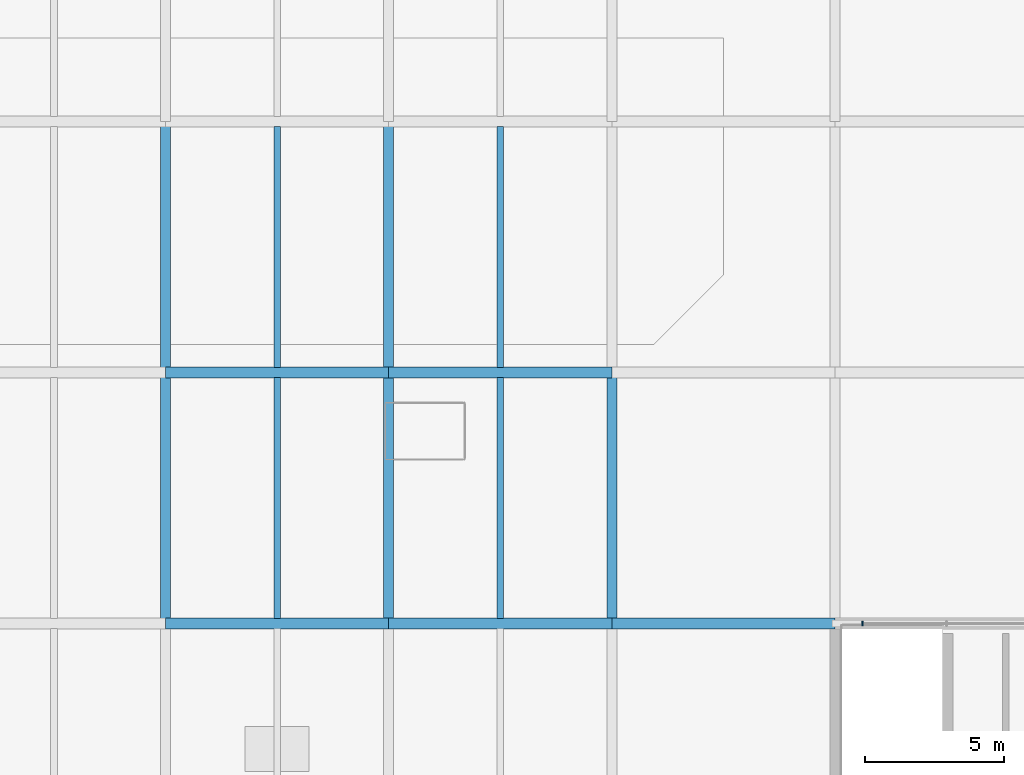
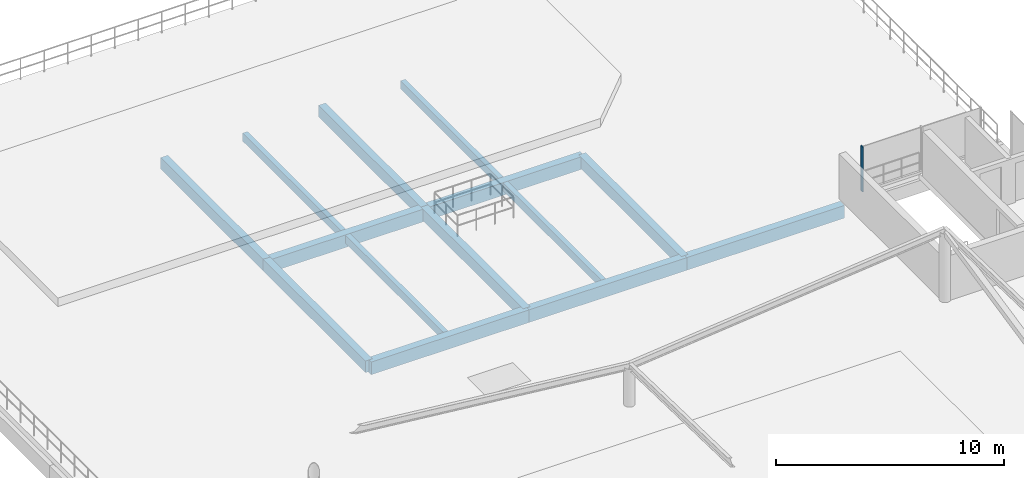
# One storey, part 17 of 52: 14 beams, 1 member, 1 element without a shape of its own.
"""IFC4 building model written with IfcOpenShell, lengths in metres."""

from ifc_helpers import new_model, si_unit, derived_unit, direction, frame, origin, origin_2d, place, context, subcontext, project, spatial, rectangle, extrude, material, layer, layer_set, material_profile, profile_set, type_object, element, aggregate, save


model = new_model("IFC4")

# Units and contexts
model_context = context("Model", 3, precision=1e-05, world=origin(), true_north=direction((0.0, 1.0)))
body_context = subcontext(model_context, "Body", "Model", "MODEL_VIEW")
ifc_project = project(units=[si_unit("LENGTHUNIT", "METRE"), si_unit("AREAUNIT", "SQUARE_METRE"), si_unit("VOLUMEUNIT", "CUBIC_METRE"), si_unit("PLANEANGLEUNIT", "RADIAN"), si_unit("MASSUNIT", "GRAM", prefix="KILO"), si_unit("THERMODYNAMICTEMPERATUREUNIT", "KELVIN"), derived_unit("THERMALTRANSMITTANCEUNIT", [(si_unit("POWERUNIT", "WATT"), 1), (si_unit("AREAUNIT", "SQUARE_METRE"), -1), (si_unit("THERMODYNAMICTEMPERATUREUNIT", "KELVIN"), -1)])], contexts=[model_context])

# Site, building, storey
site_placement = place(None, origin())
site = spatial("IfcSite", under=ifc_project, at=site_placement, CompositionType="ELEMENT")
building_placement = place(site_placement, origin())
building = spatial("IfcBuilding", under=site, at=building_placement, Name="Haiyu Intermodal Mobility Hub", CompositionType="ELEMENT")
storey_placement = place(building_placement, frame((0.0, 0.0, 21.199951171875)))
storey = spatial("IfcBuildingStorey", under=building, at=storey_placement, Name="L05", CompositionType="ELEMENT", Elevation=21.199951171875)

# Beams
ifc_material_1 = material(Name="Concrete C40", Category="concrete")
ifc_material_profile_1 = material_profile(ifc_material_1, rectangle(XDim=0.3798828125, YDim=0.679931640625, at=origin_2d()), Name="B380x680")
ifc_profile_set_1 = profile_set([ifc_material_profile_1], Name="Concrete C40")
beam_type_1 = type_object("IfcBeamType", Name="BM-CB15", PredefinedType="BEAM", material=ifc_profile_set_1)
for number, where, z_axis, x_axis, name in (
    (1, (178.0, 122.0, -0.639892578125), (1.0, 0.0, 0.0), (0.0, 1.0, 0.0), "BM-V6G-L05-033"),
    (2, (186.0, 122.0, -0.639892578125), (1.0, 0.0, 0.0), (0.0, 1.0, 0.0), "BM-V6G-L05-034"),
    (3, (194.0, 122.0, -0.639892578125), (1.0, 0.0, 0.0), (0.0, 1.0, 0.0), "BM-V6G-L05-035"),
    (4, (178.0, 131.0, -0.639892578125), (1.0, 0.0, 0.0), (0.0, 1.0, 0.0), "BM-V6G-L05-039"),
    (5, (186.0, 131.0, -0.639892578125), (1.0, 0.0, 0.0), (0.0, 1.0, 0.0), "BM-V6G-L05-040"),
):
    element("IfcBeam", number, at=place(storey_placement, frame(where, z_axis=z_axis, x_axis=x_axis)), inside=storey, type_object=beam_type_1, Name=name, PredefinedType="BEAM", context=body_context, shape_type="SweptSolid", body=[
        extrude(rectangle(XDim=0.3798828125, YDim=0.679931640625, at=origin_2d()), origin(), (0.0, 0.0, 1.0), 8.0),
    ])
ifc_material_profile_2 = material_profile(ifc_material_1, rectangle(XDim=0.360107421875, YDim=0.6201171875, at=origin_2d()), Name="B360x620")
ifc_profile_set_2 = profile_set([ifc_material_profile_2], Name="Concrete C40")
beam_type_2 = type_object("IfcBeamType", Name="BM-CB16", PredefinedType="BEAM", material=ifc_profile_set_2)
for number, where, z_axis, x_axis, name in (
    (6, (178.0, 122.0, -0.60986328125), (0.0, 1.0, 0.0), (-1.0, 0.0, 0.0), "BM-V6T-L05-022"),
    (7, (178.0, 131.0, -0.60986328125), (0.0, 1.0, 0.0), (-1.0, 0.0, 0.0), "BM-V6T-L05-023"),
    (8, (186.0, 122.0, -0.60986328125), (0.0, 1.0, 0.0), (-1.0, 0.0, 0.0), "BM-V6T-L05-030"),
    (9, (186.0, 131.0, -0.60986328125), (0.0, 1.0, 0.0), (-1.0, 0.0, 0.0), "BM-V6T-L05-031"),
    (10, (194.0, 122.0, -0.60986328125), (0.0, 1.0, 0.0), (-1.0, 0.0, 0.0), "BM-V6T-L05-038"),
):
    element("IfcBeam", number, at=place(storey_placement, frame(where, z_axis=z_axis, x_axis=x_axis)), inside=storey, type_object=beam_type_2, Name=name, PredefinedType="BEAM", context=body_context, shape_type="SweptSolid", body=[
        extrude(rectangle(XDim=0.360107421875, YDim=0.6201171875, at=origin_2d()), origin(), (0.0, 0.0, 1.0), 9.0),
    ])
ifc_material_profile_3 = material_profile(ifc_material_1, rectangle(XDim=0.239990234375, YDim=0.43994140625, at=origin_2d()), Name="B240x440")
ifc_profile_set_3 = profile_set([ifc_material_profile_3], Name="Concrete C40")
beam_type_3 = type_object("IfcBeamType", Name="BM-CB19", PredefinedType="JOIST", material=ifc_profile_set_3)
for number, where, z_axis, x_axis, name in (
    (11, (182.0, 122.175048828125, -0.52001953125), (0.0, 1.0, 0.0), (-1.0, 0.0, 0.0), "BM-V6J-L05-020"),
    (12, (182.0, 131.175048828125, -0.52001953125), (0.0, 1.0, 0.0), (-1.0, 0.0, 0.0), "BM-V6J-L05-021"),
    (13, (190.0, 122.175048828125, -0.52001953125), (0.0, 1.0, 0.0), (-1.0, 0.0, 0.0), "BM-V6J-L05-028"),
    (14, (190.0, 131.175048828125, -0.52001953125), (0.0, 1.0, 0.0), (-1.0, 0.0, 0.0), "BM-V6J-L05-029"),
):
    element("IfcBeam", number, at=place(storey_placement, frame(where, z_axis=z_axis, x_axis=x_axis)), inside=storey, type_object=beam_type_3, Name=name, PredefinedType="JOIST", context=body_context, shape_type="SweptSolid", body=[
        extrude(rectangle(XDim=0.239990234375, YDim=0.43994140625, at=origin_2d()), origin(), (0.0, 0.0, 1.0), 8.64990234375),
    ])

# Curtain wall, member
ifc_material_2 = material(Name="Low-e laminated insulating glass", Category="glass")
ifc_layer = layer(ifc_material_2, 0.199951171875)
ifc_layer_set = layer_set([ifc_layer], Name="Low-e laminated insulating glass")
curtain_wall_type = type_object("IfcCurtainWallType", Name="CW-CW03", PredefinedType="NOTDEFINED", material=ifc_layer_set)
curtain_wall_placement = place(storey_placement, origin())
curtain_wall = element("IfcCurtainWall", 15, at=curtain_wall_placement, inside=storey, type_object=curtain_wall_type, Name="Curtain Wall CW-CPAR-C10-N", PredefinedType="NOTDEFINED")
ifc_material_3 = material(Name="Anodised aluminium 6063-T6", Category="aluminium")
ifc_material_profile_4 = material_profile(ifc_material_3, rectangle(XDim=0.06005859375, YDim=0.14501953125, at=origin_2d()), Name="ALU60x145")
ifc_profile_set_4 = profile_set([ifc_material_profile_4], Name="Anodised aluminium 6063-T6")
member_type = type_object("IfcMemberType", Name="CWM-ML03", PredefinedType="MULLION", material=ifc_profile_set_4)
member_placement = place(storey_placement, frame((202.989990234375, 122.0, 0.0), z_axis=(0.0, 0.0, 1.0), x_axis=(1.0, 0.0, 0.0)))
member = element("IfcMember", 16, at=member_placement, type_object=member_type, Name="CW-CPAR-C10-N-ML03", PredefinedType="MULLION", context=body_context, shape_type="SweptSolid", body=[
    extrude(rectangle(XDim=0.06005859375, YDim=0.14501953125, at=origin_2d()), origin(), (0.0, 0.0, 1.0), 2.421142578125),
])
aggregate(curtain_wall, [member])

save(model, "model.ifc")
